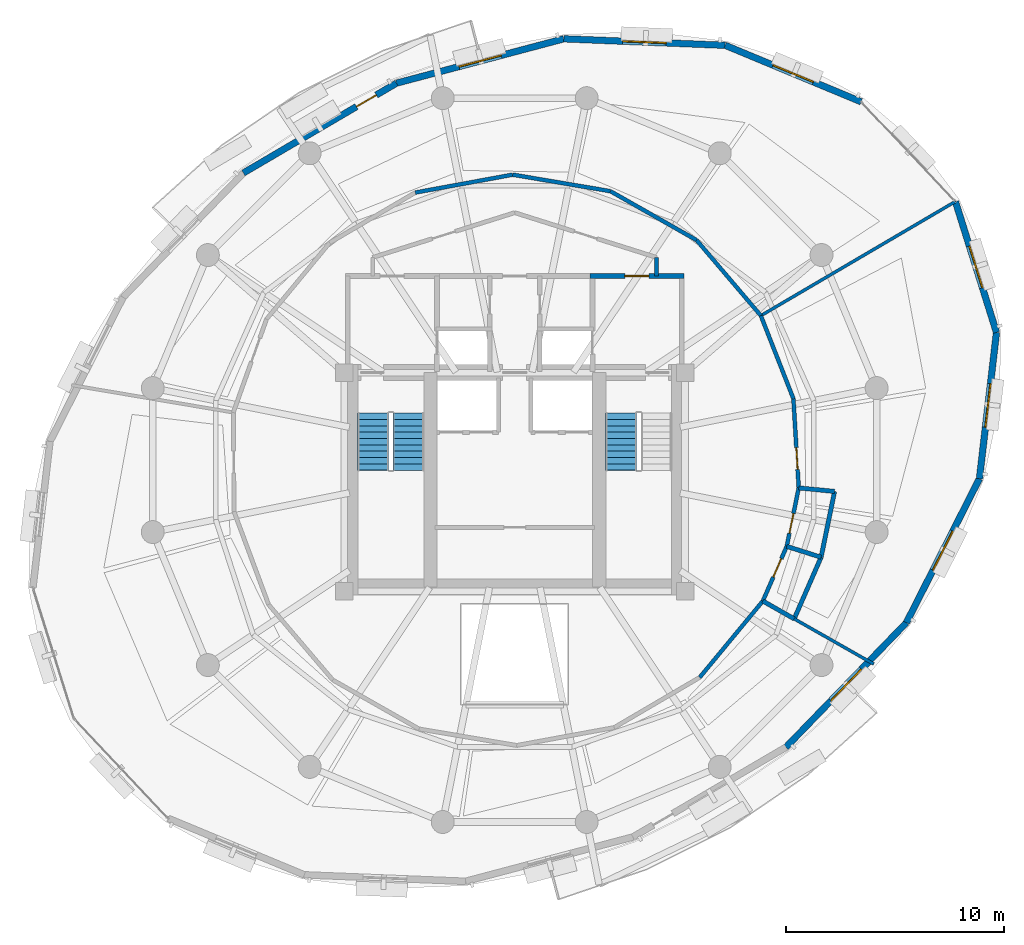
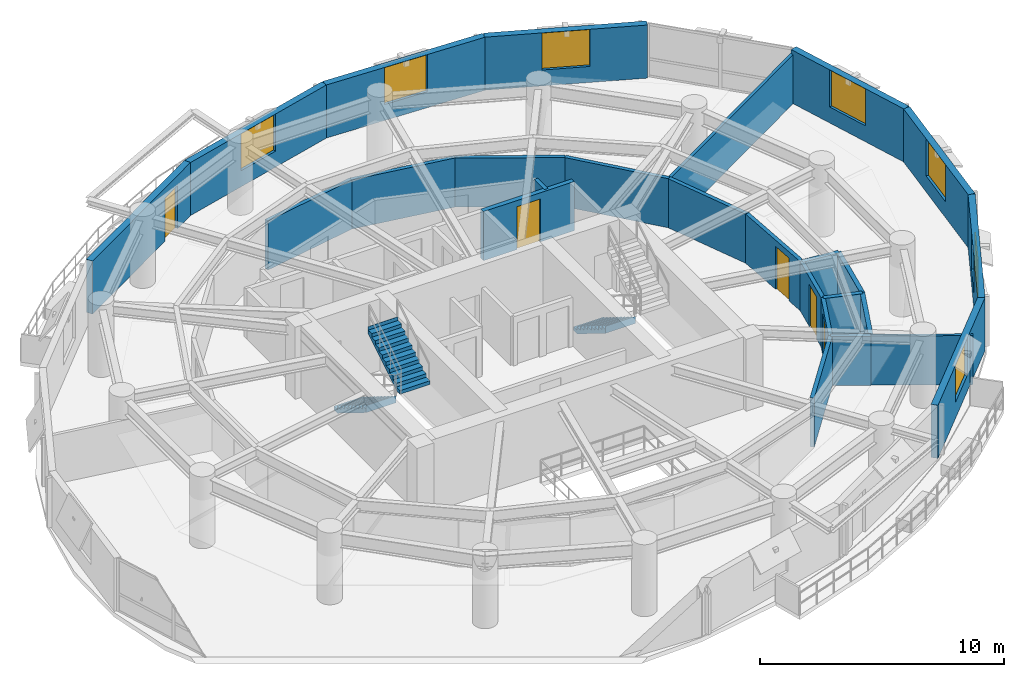
# One storey, part 11 of 14: 26 walls, 7 windows, 5 doors, 3 stair flights, 12 openings, 2 elements without a shape of their own.
"""IFC4 building model written with IfcOpenShell, lengths in metres."""

from ifc_helpers import new_model, si_unit, direction, frame, frame_2d, origin, place, context, subcontext, project, spatial, polyline, rectangle, outline, extrude, material, layer, layer_set, type_object, element, fill, aggregate, save


model = new_model("IFC4")

# Units and contexts
model_context = context("Model", 3, precision=1e-05, world=origin(), true_north=direction((0.0, 1.0)))
body_context = subcontext(model_context, "Body", "Model", "MODEL_VIEW")
ifc_project = project(units=[si_unit("LENGTHUNIT", "METRE"), si_unit("AREAUNIT", "SQUARE_METRE"), si_unit("VOLUMEUNIT", "CUBIC_METRE"), si_unit("PLANEANGLEUNIT", "RADIAN"), si_unit("MASSUNIT", "GRAM", prefix="KILO"), si_unit("THERMODYNAMICTEMPERATUREUNIT", "KELVIN"), si_unit("POWERUNIT", "WATT")], contexts=[model_context])

# Site, building, storey
site_placement = place(None, origin())
site = spatial("IfcSite", under=ifc_project, at=site_placement, CompositionType="ELEMENT")
building_placement = place(site_placement, origin())
building = spatial("IfcBuilding", under=site, at=building_placement, Name="Ocrelia Relay Tower", CompositionType="ELEMENT")
storey_placement = place(building_placement, frame((0.0, 0.0, 162.800048828125)))
storey = spatial("IfcBuildingStorey", under=building, at=storey_placement, Name="L38", CompositionType="ELEMENT", Elevation=162.800048828125)

# Wall
ifc_material_1 = material(Name="Gypsum Fireboard Partition EI60", Category="gypsum")
ifc_layer_1 = layer(ifc_material_1, 0.179931640625, Name="Gypsum Fireboard Partition EI60")
ifc_layer_set_1 = layer_set([ifc_layer_1], Name="Gypsum Fireboard Partition EI60")
wall_type_1 = type_object("IfcWallType", Name="W-CORR-EI60-180", PredefinedType="PARTITIONING", material=ifc_layer_set_1)
wall_1_placement = place(storey_placement, frame((40.5, 35.280029296875, 0.0), z_axis=(0.0, 0.0, 1.0), x_axis=(0.0, -1.0, 0.0)))
element("IfcWall", 1, at=wall_1_placement, inside=storey, type_object=wall_type_1, Name="L38 Smoke Lobby East Return", PredefinedType="PARTITIONING", context=body_context, shape_type="SweptSolid", body=[
    extrude(rectangle(XDim=0.85009765625, YDim=0.179931640625, at=frame_2d((0.425048828125, 0.0))), origin(), (0.0, 0.0, 1.0), 2.4599609375),
])

# Wall, opening, door
wall_2_placement = place(storey_placement, frame((45.3642578125, 19.544189453125, 0.0), z_axis=(0.0, 0.0, 1.0), x_axis=(0.400368822801, 0.916354083163, 0.0)))
wall_2 = element("IfcWall", 2, at=wall_2_placement, inside=storey, type_object=wall_type_1, Name="L38 Staff Toilet Corridor Wall", PredefinedType="PARTITIONING", context=body_context, shape_type="SweptSolid", body=[
    extrude(rectangle(XDim=2.732421875, YDim=0.179931640625, at=frame_2d((1.3662109375, 0.0))), origin(), (0.0, 0.0, 1.0), 2.4599609375),
])
opening_1_placement = place(wall_2_placement, frame((1.196533203125, 0.0, 0.0)))
opening_1 = element("IfcOpeningElement", 3, at=opening_1_placement, cuts=wall_2, Name="Opening D-WC92", PredefinedType="OPENING", context=body_context, shape_type="SweptSolid", body=[
    extrude(rectangle(XDim=0.919921875, YDim=2.10009765625, at=frame_2d((0.4599609375, 1.050048828125))), frame((0.0, 0.10009765625, 0.0), z_axis=(0.0, -1.0, 0.0), x_axis=(1.0, 0.0, 0.0)), (0.0, 0.0, 1.0), 0.199951171875),
])
ifc_material_2 = material(Name="Laminate washroom door", Category="wood")
door_type_1 = type_object("IfcDoorType", Name="DR-WC-920", OperationType="NOTDEFINED", PredefinedType="DOOR", material=ifc_material_2)
door_1_placement = place(opening_1_placement, origin())
door_1 = element("IfcDoor", 4, at=door_1_placement, inside=storey, type_object=door_type_1, Name="L38 Staff Toilet Door", OperationType="SINGLE_SWING_RIGHT", OverallHeight=2.10009765625, OverallWidth=0.919921875, PredefinedType="DOOR", context=body_context, shape_type="SweptSolid", body=[
    extrude(rectangle(XDim=0.919921875, YDim=2.10009765625, at=frame_2d((0.4599609375, 1.050048828125))), frame((0.0, 0.02490234375, 0.0), z_axis=(0.0, -1.0, 0.0), x_axis=(1.0, 0.0, 0.0)), (0.0, 0.0, 1.0), 0.050048828125),
])
fill(opening_1, door_1)

wall_3_placement = place(storey_placement, frame((46.458251953125, 22.048095703125, 0.0), z_axis=(0.0, 0.0, 1.0), x_axis=(0.201045278361, 0.979581949634, 0.0)))
wall_3 = element("IfcWall", 5, at=wall_3_placement, inside=storey, type_object=wall_type_1, Name="L38 Accessible Toilet Corridor Wall", PredefinedType="PARTITIONING", context=body_context, shape_type="SweptSolid", body=[
    extrude(rectangle(XDim=2.732421875, YDim=0.179931640625, at=frame_2d((1.3662109375, 0.0))), origin(), (0.0, 0.0, 1.0), 2.4599609375),
])
opening_2_placement = place(wall_3_placement, frame((0.61572265625, 0.0, 0.0)))
opening_2 = element("IfcOpeningElement", 6, at=opening_2_placement, cuts=wall_3, Name="Opening D-WC92", PredefinedType="OPENING", context=body_context, shape_type="SweptSolid", body=[
    extrude(rectangle(XDim=0.919921875, YDim=2.10009765625, at=frame_2d((0.4599609375, 1.050048828125))), frame((0.0, 0.10009765625, 0.0), z_axis=(0.0, -1.0, 0.0), x_axis=(1.0, 0.0, 0.0)), (0.0, 0.0, 1.0), 0.199951171875),
])
door_2_placement = place(opening_2_placement, origin())
door_2 = element("IfcDoor", 7, at=door_2_placement, inside=storey, type_object=door_type_1, Name="L38 Accessible Toilet Door", OperationType="SINGLE_SWING_LEFT", OverallHeight=2.10009765625, OverallWidth=0.919921875, PredefinedType="DOOR", context=body_context, shape_type="SweptSolid", body=[
    extrude(rectangle(XDim=0.919921875, YDim=2.10009765625, at=frame_2d((0.4599609375, 1.050048828125))), frame((0.0, 0.02490234375, 0.0), z_axis=(0.0, -1.0, 0.0), x_axis=(1.0, 0.0, 0.0)), (0.0, 0.0, 1.0), 0.050048828125),
])
fill(opening_2, door_2)

wall_4_placement = place(storey_placement, frame((47.007568359375, 24.724609375, 0.0), z_axis=(0.0, 0.0, 1.0), x_axis=(-0.059285489293, 0.99824106846, 0.0)))
wall_4 = element("IfcWall", 8, at=wall_4_placement, inside=storey, type_object=wall_type_1, Name="L38 Spectrum Operations Office Corridor Partition 1", PredefinedType="PARTITIONING", context=body_context, shape_type="SweptSolid", body=[
    extrude(rectangle(XDim=4.089111328125, YDim=0.179931640625, at=frame_2d((2.04443359375, 0.0))), origin(), (0.0, 0.0, 1.0), 2.4599609375),
])
opening_3_placement = place(wall_4_placement, frame((0.847412109375, 0.0, 0.0)))
opening_3 = element("IfcOpeningElement", 9, at=opening_3_placement, cuts=wall_4, Name="Opening D-RM100", PredefinedType="OPENING", context=body_context, shape_type="SweptSolid", body=[
    extrude(rectangle(XDim=1.0, YDim=2.14990234375, at=frame_2d((0.5, 1.074951171875))), frame((0.0, 0.10009765625, 0.0), z_axis=(0.0, -1.0, 0.0), x_axis=(1.0, 0.0, 0.0)), (0.0, 0.0, 1.0), 0.199951171875),
])
ifc_material_3 = material(Name="Acoustic oak veneer fire door", Category="wood")
door_type_2 = type_object("IfcDoorType", Name="DR-ROOM-FD60-1000", OperationType="NOTDEFINED", PredefinedType="DOOR", material=ifc_material_3)
door_3_placement = place(opening_3_placement, origin())
door_3 = element("IfcDoor", 10, at=door_3_placement, inside=storey, type_object=door_type_2, Name="L38 Spectrum Operations Office Entrance Door", OperationType="SINGLE_SWING_RIGHT", OverallHeight=2.14990234375, OverallWidth=1.0, PredefinedType="DOOR", context=body_context, shape_type="SweptSolid", body=[
    extrude(rectangle(XDim=1.0, YDim=2.14990234375, at=frame_2d((0.5, 1.074951171875))), frame((0.0, 0.02490234375, 0.0), z_axis=(0.0, -1.0, 0.0), x_axis=(1.0, 0.0, 0.0)), (0.0, 0.0, 1.0), 0.050048828125),
])
fill(opening_3, door_3)

# Walls
wall_5_placement = place(storey_placement, frame((46.76513671875, 28.806640625, 0.0), z_axis=(0.0, 0.0, 1.0), x_axis=(-0.364845023981, 0.931068261985, 0.0)))
element("IfcWall", 11, at=wall_5_placement, inside=storey, type_object=wall_type_1, Name="L38 Spectrum Operations Office Corridor Partition 2", PredefinedType="PARTITIONING", context=body_context, shape_type="SweptSolid", body=[
    extrude(rectangle(XDim=4.08935546875, YDim=0.179931640625, at=frame_2d((2.044677734375, 0.0))), origin(), (0.0, 0.0, 1.0), 2.4599609375),
])
for number, where, z_axis, x_axis, name in (
    (12, (45.273193359375, 32.614013671875, 0.0), (0.0, 0.0, 1.0), (-0.648169730701, 0.761495896379, 0.0), "L38 Cloud Engineering Workspace Corridor Partition 1"),
    (13, (42.3310546875, 36.070556640625, 0.0), (0.0, 0.0, 1.0), (-0.869471783765, 0.493982608233, 0.0), "L38 Cloud Engineering Workspace Corridor Partition 2"),
):
    element("IfcWall", number, at=place(storey_placement, frame(where, z_axis=z_axis, x_axis=x_axis)), inside=storey, type_object=wall_type_1, Name=name, PredefinedType="PARTITIONING", context=body_context, shape_type="SweptSolid", body=[
        extrude(rectangle(XDim=4.5390625, YDim=0.179931640625, at=frame_2d((2.26953125, 0.0))), origin(), (0.0, 0.0, 1.0), 2.4599609375),
    ])
wall_6_placement = place(storey_placement, frame((38.384521484375, 38.312744140625, 0.0), z_axis=(0.0, 0.0, 1.0), x_axis=(-0.986003065616, 0.166727186135, 0.0)))
element("IfcWall", 14, at=wall_6_placement, inside=storey, type_object=wall_type_1, Name="L38 Cloud Engineering Workspace Corridor Partition 3", PredefinedType="PARTITIONING", context=body_context, shape_type="SweptSolid", body=[
    extrude(rectangle(XDim=4.539306640625, YDim=0.179931640625, at=frame_2d((2.26953125, 0.0))), origin(), (0.0, 0.0, 1.0), 2.4599609375),
])
for number, where, z_axis, x_axis, name in (
    (15, (33.90869140625, 39.069580078125, 0.0), (0.0, 0.0, 1.0), (-0.983574264577, -0.180503922564, 0.0), "L38 Cloud Engineering Workspace Corridor Partition 4"),
    (16, (42.470947265625, 16.046630859375, 0.0), (0.0, 0.0, 1.0), (0.637408090856, 0.770526395207, 0.0), "L38 Protocol Simulation Studio Corridor Partition 8"),
):
    element("IfcWall", number, at=place(storey_placement, frame(where, z_axis=z_axis, x_axis=x_axis)), inside=storey, type_object=wall_type_1, Name=name, PredefinedType="PARTITIONING", context=body_context, shape_type="SweptSolid", body=[
        extrude(rectangle(XDim=4.5390625, YDim=0.179931640625, at=frame_2d((2.26953125, 0.0))), origin(), (0.0, 0.0, 1.0), 2.4599609375),
    ])

# Wall, opening, window
ifc_material_4 = material(Name="Precast concrete C40/50 with oxide terracotta", Category="masonry")
ifc_layer_2 = layer(ifc_material_4, 0.300048828125, Name="Precast concrete C40/50 with oxide terracotta")
ifc_layer_set_2 = layer_set([ifc_layer_2], Name="Precast concrete C40/50 with oxide terracotta")
wall_type_2 = type_object("IfcWallType", Name="W-EXT-TERR-300", PredefinedType="SOLIDWALL", material=ifc_layer_set_2)
wall_7_placement = place(storey_placement, frame((49.86767578125, 42.407470703125, 0.0), z_axis=(0.0, 0.0, 1.0), x_axis=(-0.923498294405, 0.383602528969, 0.0)))
wall_7 = element("IfcWall", 17, at=wall_7_placement, inside=storey, type_object=wall_type_2, Name="L38 Oxide Terracotta Facade Wall 02", PredefinedType="SOLIDWALL", context=body_context, shape_type="SweptSolid", body=[
    extrude(rectangle(XDim=6.7451171875, YDim=0.300048828125, at=frame_2d((3.37255859375, 0.0))), origin(), (0.0, 0.0, 1.0), 2.659912109375),
])
opening_4_placement = place(wall_7_placement, frame((2.373046875, 0.0, 0.800048828125)))
opening_4 = element("IfcOpeningElement", 18, at=opening_4_placement, cuts=wall_7, Name="Opening W-03", PredefinedType="OPENING", context=body_context, shape_type="SweptSolid", body=[
    extrude(rectangle(XDim=2.0, YDim=1.85009765625, at=frame_2d((1.0, 0.925048828125))), frame((0.0, 0.16015625, 0.0), z_axis=(0.0, -1.0, 0.0), x_axis=(1.0, 0.0, 0.0)), (0.0, 0.0, 1.0), 0.320068359375),
])
ifc_material_5 = material(Name="Clear double-glazed low-E glass", Category="glass")
window_type = type_object("IfcWindowType", Name="WIN-Z3-2000x2200", PartitioningType="DOUBLE_PANEL_VERTICAL", PredefinedType="WINDOW", material=ifc_material_5)
window_1_placement = place(opening_4_placement, origin())
window_1 = element("IfcWindow", 19, at=window_1_placement, inside=storey, type_object=window_type, Name="L38 Facade Module Window 02", OverallHeight=1.85009765625, OverallWidth=2.0, PartitioningType="SINGLE_PANEL", PredefinedType="WINDOW", context=body_context, shape_type="SweptSolid", body=[
    extrude(rectangle(XDim=2.0, YDim=1.85009765625, at=frame_2d((1.0, 0.925048828125))), frame((0.0, 0.030029296875, 0.0), z_axis=(0.0, -1.0, 0.0), x_axis=(1.0, 0.0, 0.0)), (0.0, 0.0, 1.0), 0.06005859375),
])
fill(opening_4, window_1)

wall_8_placement = place(storey_placement, frame((43.638671875, 44.994873046875, 0.0), z_axis=(0.0, 0.0, 1.0), x_axis=(-0.999197105631, 0.040064249636, 0.0)))
wall_8 = element("IfcWall", 20, at=wall_8_placement, inside=storey, type_object=wall_type_2, Name="L38 Oxide Terracotta Facade Wall 03", PredefinedType="SOLIDWALL", context=body_context, shape_type="SweptSolid", body=[
    extrude(rectangle(XDim=7.397705078125, YDim=0.300048828125, at=frame_2d((3.69873046875, 0.0))), origin(), (0.0, 0.0, 1.0), 2.659912109375),
])
opening_5_placement = place(wall_8_placement, frame((2.698974609375, 0.0, 0.800048828125)))
opening_5 = element("IfcOpeningElement", 21, at=opening_5_placement, cuts=wall_8, Name="Opening W-03", PredefinedType="OPENING", context=body_context, shape_type="SweptSolid", body=[
    extrude(rectangle(XDim=2.0, YDim=1.85009765625, at=frame_2d((1.0, 0.925048828125))), frame((0.0, 0.16015625, 0.0), z_axis=(0.0, -1.0, 0.0), x_axis=(1.0, 0.0, 0.0)), (0.0, 0.0, 1.0), 0.320068359375),
])
window_2_placement = place(opening_5_placement, origin())
window_2 = element("IfcWindow", 22, at=window_2_placement, inside=storey, type_object=window_type, Name="L38 Facade Module Window 03", OverallHeight=1.85009765625, OverallWidth=2.0, PartitioningType="SINGLE_PANEL", PredefinedType="WINDOW", context=body_context, shape_type="SweptSolid", body=[
    extrude(rectangle(XDim=2.0, YDim=1.85009765625, at=frame_2d((1.0, 0.925048828125))), frame((0.0, 0.030029296875, 0.0), z_axis=(0.0, -1.0, 0.0), x_axis=(1.0, 0.0, 0.0)), (0.0, 0.0, 1.0), 0.06005859375),
])
fill(opening_5, window_2)

wall_9_placement = place(storey_placement, frame((36.246826171875, 45.291259765625, 0.0), z_axis=(0.0, 0.0, 1.0), x_axis=(-0.966629447566, -0.256178670262, 0.0)))
wall_9 = element("IfcWall", 23, at=wall_9_placement, inside=storey, type_object=wall_type_2, Name="L38 Oxide Terracotta Facade Wall 04", PredefinedType="SOLIDWALL", context=body_context, shape_type="SweptSolid", body=[
    extrude(rectangle(XDim=7.92724609375, YDim=0.300048828125, at=frame_2d((3.963623046875, 0.0))), origin(), (0.0, 0.0, 1.0), 2.659912109375),
])
opening_6_placement = place(wall_9_placement, frame((2.964111328125, 0.0, 0.800048828125)))
opening_6 = element("IfcOpeningElement", 24, at=opening_6_placement, cuts=wall_9, Name="Opening W-03", PredefinedType="OPENING", context=body_context, shape_type="SweptSolid", body=[
    extrude(rectangle(XDim=2.0, YDim=1.85009765625, at=frame_2d((1.0, 0.925048828125))), frame((0.0, 0.16015625, 0.0), z_axis=(0.0, -1.0, 0.0), x_axis=(1.0, 0.0, 0.0)), (0.0, 0.0, 1.0), 0.320068359375),
])
window_3_placement = place(opening_6_placement, origin())
window_3 = element("IfcWindow", 25, at=window_3_placement, inside=storey, type_object=window_type, Name="L38 Facade Module Window 04", OverallHeight=1.85009765625, OverallWidth=2.0, PartitioningType="SINGLE_PANEL", PredefinedType="WINDOW", context=body_context, shape_type="SweptSolid", body=[
    extrude(rectangle(XDim=2.0, YDim=1.85009765625, at=frame_2d((1.0, 0.925048828125))), frame((0.0, 0.030029296875, 0.0), z_axis=(0.0, -1.0, 0.0), x_axis=(1.0, 0.0, 0.0)), (0.0, 0.0, 1.0), 0.06005859375),
])
fill(opening_6, window_3)

# Wall, opening, door
wall_10_placement = place(storey_placement, frame((28.584228515625, 43.260498046875, 0.0), z_axis=(0.0, 0.0, 1.0), x_axis=(-0.862514416007, -0.50603249123, 0.0)))
wall_10 = element("IfcWall", 26, at=wall_10_placement, inside=storey, type_object=wall_type_2, Name="L38 Oxide Terracotta Facade Wall 05", PredefinedType="SOLIDWALL", context=body_context, shape_type="SweptSolid", body=[
    extrude(rectangle(XDim=8.12646484375, YDim=0.300048828125, at=frame_2d((4.063232421875, 0.0))), origin(), (0.0, 0.0, 1.0), 2.659912109375),
])
opening_7_placement = place(wall_10_placement, frame((1.070068359375, 0.0, 0.0)))
opening_7 = element("IfcOpeningElement", 27, at=opening_7_placement, cuts=wall_10, Name="Opening DB-105", PredefinedType="OPENING", context=body_context, shape_type="SweptSolid", body=[
    extrude(rectangle(XDim=1.050048828125, YDim=2.14990234375, at=frame_2d((0.52490234375, 1.074951171875))), frame((0.0, 0.16015625, 0.0), z_axis=(0.0, -1.0, 0.0), x_axis=(1.0, 0.0, 0.0)), (0.0, 0.0, 1.0), 0.320068359375),
])
ifc_material_6 = material(Name="Thermally broken aluminium and clear glass", Category="aluminium")
door_type_3 = type_object("IfcDoorType", Name="DR-BALC-1050", OperationType="NOTDEFINED", PredefinedType="DOOR", material=ifc_material_6)
door_4_placement = place(opening_7_placement, origin())
door_4 = element("IfcDoor", 28, at=door_4_placement, inside=storey, type_object=door_type_3, Name="L38 Planted Loggia Balcony Door B1", OperationType="SINGLE_SWING_LEFT", OverallHeight=2.14990234375, OverallWidth=1.050048828125, PredefinedType="DOOR", context=body_context, shape_type="SweptSolid", body=[
    extrude(rectangle(XDim=1.050048828125, YDim=2.14990234375, at=frame_2d((0.52490234375, 1.074951171875))), frame((0.0, 0.02490234375, 0.0), z_axis=(0.0, -1.0, 0.0), x_axis=(1.0, 0.0, 0.0)), (0.0, 0.0, 1.0), 0.050048828125),
])
fill(opening_7, door_4)

# Wall, opening, window
wall_11_placement = place(storey_placement, frame((46.425048828125, 12.851806640625, 0.0), z_axis=(0.0, 0.0, 1.0), x_axis=(0.695181290332, 0.718834454915, 0.0)))
wall_11 = element("IfcWall", 29, at=wall_11_placement, inside=storey, type_object=wall_type_2, Name="L38 Oxide Terracotta Facade Wall 15", PredefinedType="SOLIDWALL", context=body_context, shape_type="SweptSolid", body=[
    extrude(rectangle(XDim=7.927001953125, YDim=0.300048828125, at=frame_2d((3.96337890625, 0.0))), origin(), (0.0, 0.0, 1.0), 2.659912109375),
])
opening_8_placement = place(wall_11_placement, frame((2.964111328125, 0.0, 0.800048828125)))
opening_8 = element("IfcOpeningElement", 30, at=opening_8_placement, cuts=wall_11, Name="Opening W-03", PredefinedType="OPENING", context=body_context, shape_type="SweptSolid", body=[
    extrude(rectangle(XDim=2.0, YDim=1.85009765625, at=frame_2d((1.0, 0.925048828125))), frame((0.0, 0.16015625, 0.0), z_axis=(0.0, -1.0, 0.0), x_axis=(1.0, 0.0, 0.0)), (0.0, 0.0, 1.0), 0.320068359375),
])
window_4_placement = place(opening_8_placement, origin())
window_4 = element("IfcWindow", 31, at=window_4_placement, inside=storey, type_object=window_type, Name="L38 Facade Module Window 15", OverallHeight=1.85009765625, OverallWidth=2.0, PartitioningType="SINGLE_PANEL", PredefinedType="WINDOW", context=body_context, shape_type="SweptSolid", body=[
    extrude(rectangle(XDim=2.0, YDim=1.85009765625, at=frame_2d((1.0, 0.925048828125))), frame((0.0, 0.030029296875, 0.0), z_axis=(0.0, -1.0, 0.0), x_axis=(1.0, 0.0, 0.0)), (0.0, 0.0, 1.0), 0.06005859375),
])
fill(opening_8, window_4)

wall_12_placement = place(storey_placement, frame((51.935791015625, 18.550048828125, 0.0), z_axis=(0.0, 0.0, 1.0), x_axis=(0.452499388609, 0.891764712976, 0.0)))
wall_12 = element("IfcWall", 32, at=wall_12_placement, inside=storey, type_object=wall_type_2, Name="L38 Oxide Terracotta Facade Wall 16", PredefinedType="SOLIDWALL", context=body_context, shape_type="SweptSolid", body=[
    extrude(rectangle(XDim=7.397705078125, YDim=0.300048828125, at=frame_2d((3.69873046875, 0.0))), origin(), (0.0, 0.0, 1.0), 2.659912109375),
])
opening_9_placement = place(wall_12_placement, frame((2.698974609375, 0.0, 0.800048828125)))
opening_9 = element("IfcOpeningElement", 33, at=opening_9_placement, cuts=wall_12, Name="Opening W-03", PredefinedType="OPENING", context=body_context, shape_type="SweptSolid", body=[
    extrude(rectangle(XDim=2.0, YDim=1.85009765625, at=frame_2d((1.0, 0.925048828125))), frame((0.0, 0.16015625, 0.0), z_axis=(0.0, -1.0, 0.0), x_axis=(1.0, 0.0, 0.0)), (0.0, 0.0, 1.0), 0.320068359375),
])
window_5_placement = place(opening_9_placement, origin())
window_5 = element("IfcWindow", 34, at=window_5_placement, inside=storey, type_object=window_type, Name="L38 Facade Module Window 16", OverallHeight=1.85009765625, OverallWidth=2.0, PartitioningType="SINGLE_PANEL", PredefinedType="WINDOW", context=body_context, shape_type="SweptSolid", body=[
    extrude(rectangle(XDim=2.0, YDim=1.85009765625, at=frame_2d((1.0, 0.925048828125))), frame((0.0, 0.030029296875, 0.0), z_axis=(0.0, -1.0, 0.0), x_axis=(1.0, 0.0, 0.0)), (0.0, 0.0, 1.0), 0.06005859375),
])
fill(opening_9, window_5)

wall_13_placement = place(storey_placement, frame((55.283203125, 25.14697265625, 0.0), z_axis=(0.0, 0.0, 1.0), x_axis=(0.115717623962, 0.993282151005, 0.0)))
wall_13 = element("IfcWall", 35, at=wall_13_placement, inside=storey, type_object=wall_type_2, Name="L38 Oxide Terracotta Facade Wall 17", PredefinedType="SOLIDWALL", context=body_context, shape_type="SweptSolid", body=[
    extrude(rectangle(XDim=6.7451171875, YDim=0.300048828125, at=frame_2d((3.37255859375, 0.0))), origin(), (0.0, 0.0, 1.0), 2.659912109375),
])
opening_10_placement = place(wall_13_placement, frame((2.3720703125, 0.0, 0.800048828125)))
opening_10 = element("IfcOpeningElement", 36, at=opening_10_placement, cuts=wall_13, Name="Opening W-03", PredefinedType="OPENING", context=body_context, shape_type="SweptSolid", body=[
    extrude(rectangle(XDim=2.0, YDim=1.85009765625, at=frame_2d((1.0, 0.925048828125))), frame((0.0, 0.16015625, 0.0), z_axis=(0.0, -1.0, 0.0), x_axis=(1.0, 0.0, 0.0)), (0.0, 0.0, 1.0), 0.320068359375),
])
window_6_placement = place(opening_10_placement, origin())
window_6 = element("IfcWindow", 37, at=window_6_placement, inside=storey, type_object=window_type, Name="L38 Facade Module Window 17", OverallHeight=1.85009765625, OverallWidth=2.0, PartitioningType="SINGLE_PANEL", PredefinedType="WINDOW", context=body_context, shape_type="SweptSolid", body=[
    extrude(rectangle(XDim=2.0, YDim=1.85009765625, at=frame_2d((1.0, 0.925048828125))), frame((0.0, 0.030029296875, 0.0), z_axis=(0.0, -1.0, 0.0), x_axis=(1.0, 0.0, 0.0)), (0.0, 0.0, 1.0), 0.06005859375),
])
fill(opening_10, window_6)

wall_14_placement = place(storey_placement, frame((56.063720703125, 31.8466796875, 0.0), z_axis=(0.0, 0.0, 1.0), x_axis=(-0.299367820947, 0.954137782389, 0.0)))
wall_14 = element("IfcWall", 38, at=wall_14_placement, inside=storey, type_object=wall_type_2, Name="L38 Oxide Terracotta Facade Wall 18", PredefinedType="SOLIDWALL", context=body_context, shape_type="SweptSolid", body=[
    extrude(rectangle(XDim=6.28271484375, YDim=0.300048828125, at=frame_2d((3.141357421875, 0.0))), origin(), (0.0, 0.0, 1.0), 2.659912109375),
])
opening_11_placement = place(wall_14_placement, frame((2.14111328125, 0.0, 0.800048828125)))
opening_11 = element("IfcOpeningElement", 39, at=opening_11_placement, cuts=wall_14, Name="Opening W-03", PredefinedType="OPENING", context=body_context, shape_type="SweptSolid", body=[
    extrude(rectangle(XDim=2.0, YDim=1.85009765625, at=frame_2d((1.0, 0.925048828125))), frame((0.0, 0.16015625, 0.0), z_axis=(0.0, -1.0, 0.0), x_axis=(1.0, 0.0, 0.0)), (0.0, 0.0, 1.0), 0.320068359375),
])
window_7_placement = place(opening_11_placement, origin())
window_7 = element("IfcWindow", 40, at=window_7_placement, inside=storey, type_object=window_type, Name="L38 Facade Module Window 18", OverallHeight=1.85009765625, OverallWidth=2.0, PartitioningType="SINGLE_PANEL", PredefinedType="WINDOW", context=body_context, shape_type="SweptSolid", body=[
    extrude(rectangle(XDim=2.0, YDim=1.85009765625, at=frame_2d((1.0, 0.925048828125))), frame((0.0, 0.030029296875, 0.0), z_axis=(0.0, -1.0, 0.0), x_axis=(1.0, 0.0, 0.0)), (0.0, 0.0, 1.0), 0.06005859375),
])
fill(opening_11, window_7)

# Wall, opening, door
ifc_material_7 = material(Name="Concrete C50/60", Category="concrete")
ifc_layer_3 = layer(ifc_material_7, 0.219970703125, Name="Concrete C50/60")
ifc_layer_set_3 = layer_set([ifc_layer_3], Name="Concrete C50/60")
wall_type_3 = type_object("IfcWallType", Name="W-FFL-EI120-220", PredefinedType="SOLIDWALL", material=ifc_layer_set_3)
wall_15_placement = place(storey_placement, frame((37.449951171875, 34.429931640625, 0.0), z_axis=(0.0, 0.0, 1.0), x_axis=(1.0, 0.0, 0.0)))
wall_15 = element("IfcWall", 41, at=wall_15_placement, inside=storey, type_object=wall_type_3, Name="L38 E Fire Service Lift Lobby North Wall", PredefinedType="SOLIDWALL", context=body_context, shape_type="SweptSolid", body=[
    extrude(rectangle(XDim=4.31005859375, YDim=0.219970703125, at=frame_2d((2.155029296875, 0.0))), origin(), (0.0, 0.0, 1.0), 2.4599609375),
])
opening_12_placement = place(wall_15_placement, frame((1.60009765625, 0.0, 0.0)))
opening_12 = element("IfcOpeningElement", 42, at=opening_12_placement, cuts=wall_15, Name="Opening D-FD60", PredefinedType="OPENING", context=body_context, shape_type="SweptSolid", body=[
    extrude(rectangle(XDim=1.10009765625, YDim=2.14990234375, at=frame_2d((0.550048828125, 1.074951171875))), frame((0.0, 0.1201171875, 0.0), z_axis=(0.0, -1.0, 0.0), x_axis=(1.0, 0.0, 0.0)), (0.0, 0.0, 1.0), 0.239990234375),
])
ifc_material_8 = material(Name="Timber-core 60-min acoustic fire door", Category="wood")
door_type_4 = type_object("IfcDoorType", Name="DR-LOBBY-FD60-1100", OperationType="NOTDEFINED", PredefinedType="DOOR", material=ifc_material_8)
door_5_placement = place(opening_12_placement, origin())
door_5 = element("IfcDoor", 43, at=door_5_placement, inside=storey, type_object=door_type_4, Name="L38 E Fire Service Lift Lobby Exit Door", OperationType="SINGLE_SWING_RIGHT", OverallHeight=2.14990234375, OverallWidth=1.10009765625, PredefinedType="DOOR", context=body_context, shape_type="SweptSolid", body=[
    extrude(rectangle(XDim=1.10009765625, YDim=2.14990234375, at=frame_2d((0.550048828125, 1.074951171875))), frame((0.0, 0.02490234375, 0.0), z_axis=(0.0, -1.0, 0.0), x_axis=(1.0, 0.0, 0.0)), (0.0, 0.0, 1.0), 0.050048828125),
])
fill(opening_12, door_5)

# Walls
ifc_material_9 = material(Name="Acoustic Fireboard Partition EI60", Category="gypsum")
ifc_layer_4 = layer(ifc_material_9, 0.139892578125, Name="Acoustic Fireboard Partition EI60")
ifc_layer_set_4 = layer_set([ifc_layer_4], Name="Acoustic Fireboard Partition EI60")
wall_type_4 = type_object("IfcWallType", Name="W-PART-140", PredefinedType="PARTITIONING", material=ifc_layer_set_4)
wall_16_placement = place(storey_placement, frame((46.799072265625, 18.729248046875, 0.0), z_axis=(0.0, 0.0, 1.0), x_axis=(0.869474770641, -0.493977350917, 0.0)))
element("IfcWall", 44, at=wall_16_placement, inside=storey, type_object=wall_type_4, Name="L38 Spectrum Operations Office Radial Partition", PredefinedType="PARTITIONING", context=body_context, shape_type="SweptSolid", body=[
    extrude(rectangle(XDim=4.187255859375, YDim=0.139892578125, at=frame_2d((2.09375, 0.0))), origin(), (0.0, 0.0, 1.0), 2.4599609375),
])
wall_17_placement = place(storey_placement, frame((45.273193359375, 32.614013671875, 0.0), z_axis=(0.0, 0.0, 1.0), x_axis=(0.86251266478, 0.506035476122, 0.0)))
element("IfcWall", 45, at=wall_17_placement, inside=storey, type_object=wall_type_4, Name="L38 Spectrum Operations Office Radial Partition", PredefinedType="PARTITIONING", context=body_context, shape_type="SweptSolid", body=[
    extrude(rectangle(XDim=10.329833984375, YDim=0.139892578125, at=frame_2d((5.1650390625, 0.0))), origin(), (0.0, 0.0, 1.0), 2.4599609375),
])
ifc_material_10 = material(Name="Moisture-Resistant Fireboard Chase Wall EI60", Category="gypsum")
ifc_layer_5 = layer(ifc_material_10, 0.199951171875, Name="Moisture-Resistant Fireboard Chase Wall EI60")
ifc_layer_set_5 = layer_set([ifc_layer_5], Name="Moisture-Resistant Fireboard Chase Wall EI60")
wall_type_5 = type_object("IfcWallType", Name="W-PLUMB-200", PredefinedType="PLUMBINGWALL", material=ifc_layer_set_5)
wall_18_placement = place(storey_placement, frame((45.3642578125, 19.544189453125, 0.0), z_axis=(0.0, 0.0, 1.0), x_axis=(0.869533095462, -0.493874676306, 0.0)))
element("IfcWall", 46, at=wall_18_placement, inside=storey, type_object=wall_type_5, Name="L38 Staff Toilet Plumbing Radial Wall", PredefinedType="PLUMBINGWALL", context=body_context, shape_type="SweptSolid", body=[
    extrude(rectangle(XDim=1.650146484375, YDim=0.199951171875, at=frame_2d((0.8251953125, 0.0))), origin(), (0.0, 0.0, 1.0), 2.4599609375),
])
wall_19_placement = place(storey_placement, frame((46.458251953125, 22.048095703125, 0.0), z_axis=(0.0, 0.0, 1.0), x_axis=(0.953170314269, -0.302434045695, 0.0)))
element("IfcWall", 47, at=wall_19_placement, inside=storey, type_object=wall_type_5, Name="L38 Staff Toilet Plumbing Radial Wall", PredefinedType="PLUMBINGWALL", context=body_context, shape_type="SweptSolid", body=[
    extrude(rectangle(XDim=1.64990234375, YDim=0.199951171875, at=frame_2d((0.824951171875, 0.0))), origin(), (0.0, 0.0, 1.0), 2.4599609375),
])
wall_20_placement = place(storey_placement, frame((46.799072265625, 18.729248046875, 0.0), z_axis=(0.0, 0.0, 1.0), x_axis=(0.400344307374, 0.916364793929, 0.0)))
element("IfcWall", 48, at=wall_20_placement, inside=storey, type_object=wall_type_5, Name="L38 Staff Toilet Back Plumbing Wall", PredefinedType="PLUMBINGWALL", context=body_context, shape_type="SweptSolid", body=[
    extrude(rectangle(XDim=3.0771484375, YDim=0.199951171875, at=frame_2d((1.53857421875, 0.0))), origin(), (0.0, 0.0, 1.0), 2.4599609375),
])
wall_21_placement = place(storey_placement, frame((47.007568359375, 24.724609375, 0.0), z_axis=(0.0, 0.0, 1.0), x_axis=(0.995234439766, -0.097511075796, 0.0)))
element("IfcWall", 49, at=wall_21_placement, inside=storey, type_object=wall_type_5, Name="L38 Accessible Toilet Plumbing Radial Wall", PredefinedType="PLUMBINGWALL", context=body_context, shape_type="SweptSolid", body=[
    extrude(rectangle(XDim=1.64990234375, YDim=0.199951171875, at=frame_2d((0.824951171875, 0.0))), origin(), (0.0, 0.0, 1.0), 2.4599609375),
])
wall_22_placement = place(storey_placement, frame((48.031005859375, 21.549072265625, 0.0), z_axis=(0.0, 0.0, 1.0), x_axis=(0.201026127286, 0.979585879925, 0.0)))
element("IfcWall", 50, at=wall_22_placement, inside=storey, type_object=wall_type_5, Name="L38 Accessible Toilet Back Plumbing Wall", PredefinedType="PLUMBINGWALL", context=body_context, shape_type="SweptSolid", body=[
    extrude(rectangle(XDim=3.077392578125, YDim=0.199951171875, at=frame_2d((1.53857421875, 0.0))), origin(), (0.0, 0.0, 1.0), 2.4599609375),
])

# Stair, stair flights
stair_type = type_object("IfcStairType", Name="ST-DL-1420-R180", PredefinedType="HALF_TURN_STAIR", material=ifc_material_7)
stair_1_placement = place(storey_placement, origin())
stair_1 = element("IfcStair", 51, at=stair_1_placement, inside=storey, type_object=stair_type, Name="L38 West Core Exit Stair ST1", PredefinedType="HALF_TURN_STAIR")
stair_flight_type = type_object("IfcStairFlightType", Name="STF-DL-1420-R180", PredefinedType="STRAIGHT", material=ifc_material_7)
stair_flight_1_placement = place(storey_placement, frame((27.52001953125, 28.14990234375, 0.0), z_axis=(0.0, 0.0, 1.0), x_axis=(0.0, -1.0, 0.0)))
stair_flight_1 = element("IfcStairFlight", 52, at=stair_flight_1_placement, type_object=stair_flight_type, Name="ST1 flight 1", NumberOfRisers=10, NumberOfTreads=9, PredefinedType="STRAIGHT", RiserHeight=0.18, TreadLength=0.29, context=body_context, shape_type="SweptSolid", body=[
    extrude(outline(polyline([(-0.008056640625, 0.0), (-0.008056640625, 0.179931640625), (0.0, 0.179931640625), (0.2900390625, 0.179931640625), (0.2900390625, 0.360107421875), (0.580078125, 0.360107421875), (0.580078125, 0.5400390625), (0.8701171875, 0.5400390625), (0.8701171875, 0.719970703125), (1.159912109375, 0.719970703125), (1.159912109375, 0.89990234375), (1.449951171875, 0.89990234375), (1.449951171875, 1.080078125), (1.739990234375, 1.080078125), (1.739990234375, 1.260009765625), (2.030029296875, 1.260009765625), (2.030029296875, 1.43994140625), (2.320068359375, 1.43994140625), (2.320068359375, 1.6201171875), (2.610107421875, 1.6201171875), (2.610107421875, 1.800048828125), (2.617919921875, 1.800048828125), (2.617919921875, 1.443603515625), (0.2841796875, 0.0), (-0.008056640625, 0.0)])), frame((0.0, 0.7099609375, 0.0), z_axis=(0.0, -1.0, 0.0), x_axis=(1.0, 0.0, 0.0)), (0.0, 0.0, 1.0), 1.419921875),
])
stair_flight_2_placement = place(storey_placement, frame((29.139892578125, 25.5400390625, 1.800048828125), z_axis=(0.0, 0.0, 1.0), x_axis=(0.0, 1.0, 0.0)))
stair_flight_2 = element("IfcStairFlight", 53, at=stair_flight_2_placement, type_object=stair_flight_type, Name="ST1 flight 2", NumberOfRisers=10, NumberOfTreads=9, PredefinedType="STRAIGHT", RiserHeight=0.18, TreadLength=0.29, context=body_context, shape_type="SweptSolid", body=[
    extrude(outline(polyline([(-0.008056640625, 0.0), (-0.008056640625, 0.179931640625), (0.0, 0.179931640625), (0.2900390625, 0.179931640625), (0.2900390625, 0.360107421875), (0.580078125, 0.360107421875), (0.580078125, 0.5400390625), (0.8701171875, 0.5400390625), (0.8701171875, 0.719970703125), (1.159912109375, 0.719970703125), (1.159912109375, 0.89990234375), (1.449951171875, 0.89990234375), (1.449951171875, 1.080078125), (1.739990234375, 1.080078125), (1.739990234375, 1.260009765625), (2.030029296875, 1.260009765625), (2.030029296875, 1.43994140625), (2.320068359375, 1.43994140625), (2.320068359375, 1.6201171875), (2.610107421875, 1.6201171875), (2.610107421875, 1.800048828125), (2.617919921875, 1.800048828125), (2.617919921875, 1.443603515625), (0.2841796875, 0.0), (-0.008056640625, 0.0)])), frame((0.0, 0.7099609375, 0.0), z_axis=(0.0, -1.0, 0.0), x_axis=(1.0, 0.0, 0.0)), (0.0, 0.0, 1.0), 1.419921875),
])
aggregate(stair_1, [stair_flight_1, stair_flight_2])

# Stair, stair flight
stair_2_placement = place(storey_placement, origin())
stair_2 = element("IfcStair", 54, at=stair_2_placement, inside=storey, type_object=stair_type, Name="L38 East Core Exit Stair ST2", PredefinedType="HALF_TURN_STAIR")
stair_flight_3_placement = place(storey_placement, frame((38.8701171875, 28.14990234375, 0.0), z_axis=(0.0, 0.0, 1.0), x_axis=(0.0, -1.0, 0.0)))
stair_flight_3 = element("IfcStairFlight", 55, at=stair_flight_3_placement, type_object=stair_flight_type, Name="ST2 flight 1", NumberOfRisers=10, NumberOfTreads=9, PredefinedType="STRAIGHT", RiserHeight=0.18, TreadLength=0.29, context=body_context, shape_type="SweptSolid", body=[
    extrude(outline(polyline([(-0.008056640625, 0.0), (-0.008056640625, 0.179931640625), (0.0, 0.179931640625), (0.2900390625, 0.179931640625), (0.2900390625, 0.360107421875), (0.580078125, 0.360107421875), (0.580078125, 0.5400390625), (0.8701171875, 0.5400390625), (0.8701171875, 0.719970703125), (1.159912109375, 0.719970703125), (1.159912109375, 0.89990234375), (1.449951171875, 0.89990234375), (1.449951171875, 1.080078125), (1.739990234375, 1.080078125), (1.739990234375, 1.260009765625), (2.030029296875, 1.260009765625), (2.030029296875, 1.43994140625), (2.320068359375, 1.43994140625), (2.320068359375, 1.6201171875), (2.610107421875, 1.6201171875), (2.610107421875, 1.800048828125), (2.617919921875, 1.800048828125), (2.617919921875, 1.443603515625), (0.2841796875, 0.0), (-0.008056640625, 0.0)])), frame((0.0, 0.7099609375, 0.0), z_axis=(0.0, -1.0, 0.0), x_axis=(1.0, 0.0, 0.0)), (0.0, 0.0, 1.0), 1.419921875),
])
aggregate(stair_2, [stair_flight_3])

save(model, "model.ifc")
